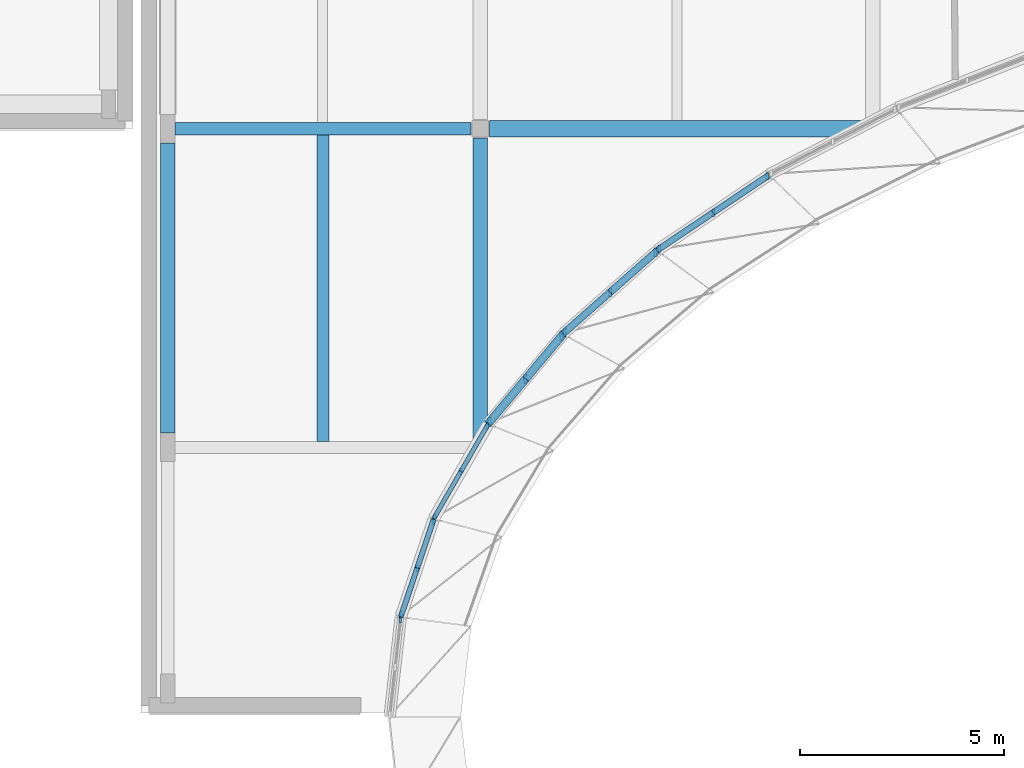
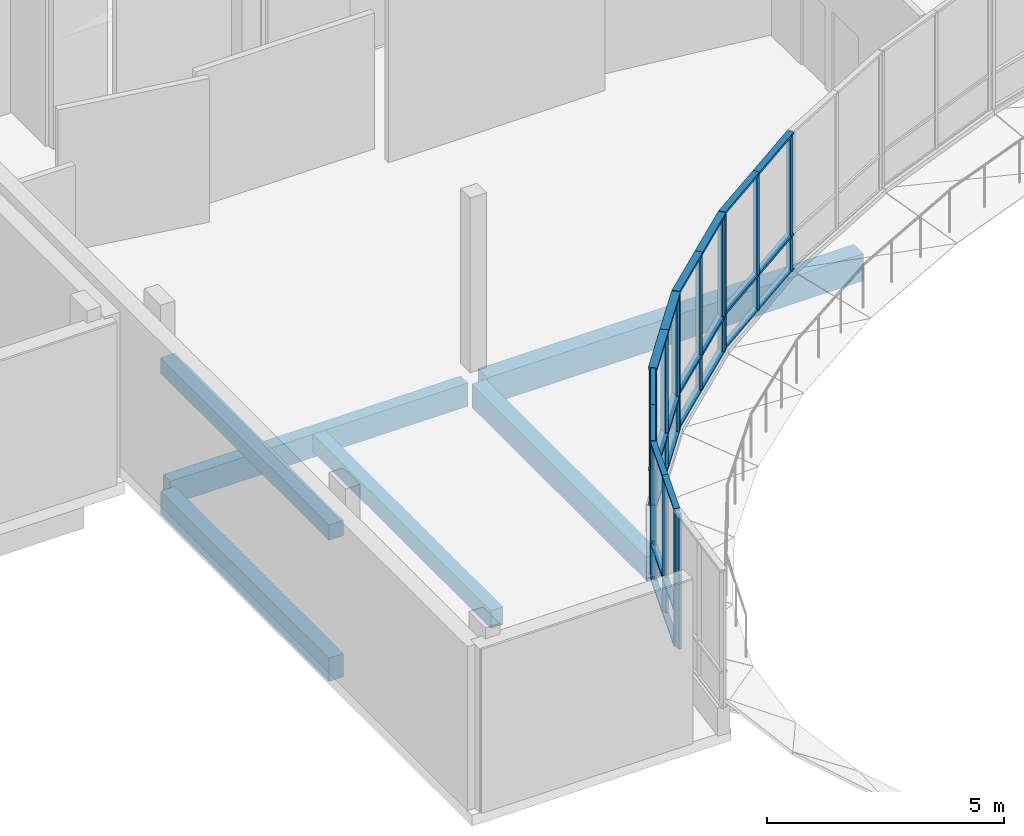
# One storey, part 9 of 41: 46 members, 6 beams, 6 elements without a shape of their own.
"""IFC4 building model written with IfcOpenShell, lengths in metres."""

from ifc_helpers import new_model, si_unit, direction, frame, origin, origin_2d, place, context, subcontext, project, spatial, rectangle, extrude, material, material_profile, profile_set, type_object, element, aggregate, save


model = new_model("IFC4")

# Units and contexts
model_context = context("Model", 3, precision=1e-05, world=origin(), true_north=direction((0.0, 1.0)))
body_context = subcontext(model_context, "Body", "Model", "MODEL_VIEW")
ifc_project = project(units=[si_unit("LENGTHUNIT", "METRE"), si_unit("AREAUNIT", "SQUARE_METRE"), si_unit("VOLUMEUNIT", "CUBIC_METRE"), si_unit("PLANEANGLEUNIT", "RADIAN"), si_unit("MASSUNIT", "GRAM", prefix="KILO")], contexts=[model_context])

# Site, building, storey
site_placement = place(None, origin())
site = spatial("IfcSite", under=ifc_project, at=site_placement, CompositionType="ELEMENT")
building_placement = place(site_placement, origin())
building = spatial("IfcBuilding", under=site, at=building_placement, Name="Mzevani Central Library", CompositionType="ELEMENT")
storey_placement = place(building_placement, frame((0.0, 0.0, 13.800048828125)))
storey = spatial("IfcBuildingStorey", under=building, at=storey_placement, Name="L03", CompositionType="ELEMENT", Elevation=13.800048828125)

# Beams
ifc_material_1 = material(Name="Concrete C35/45", Category="concrete")
ifc_material_profile_1 = material_profile(ifc_material_1, rectangle(XDim=0.300048828125, YDim=0.60009765625, at=origin_2d()), Name="RC B300x600")
ifc_profile_set_1 = profile_set([ifc_material_profile_1], Name="Concrete C35/45")
beam_type_1 = type_object("IfcBeamType", Name="Beam RC 300x600", PredefinedType="BEAM", material=ifc_profile_set_1)
beam_1_placement = place(storey_placement, frame((46.925048828125, 90.39990234375, -0.580078125), z_axis=(1.0, 0.0, 0.0), x_axis=(0.0, 1.0, 0.0)))
element("IfcBeam", 1, at=beam_1_placement, inside=storey, type_object=beam_type_1, Name="L03 V3 Girder B-03 (634)", PredefinedType="BEAM", context=body_context, shape_type="SweptSolid", body=[
    extrude(rectangle(XDim=0.300048828125, YDim=0.60009765625, at=origin_2d()), origin(), (0.0, 0.0, 1.0), 7.25),
])
ifc_material_profile_2 = material_profile(ifc_material_1, rectangle(XDim=0.35009765625, YDim=0.60009765625, at=origin_2d()), Name="RC B350x600")
ifc_profile_set_2 = profile_set([ifc_material_profile_2], Name="Concrete C35/45")
beam_type_2 = type_object("IfcBeamType", Name="Beam RC 350x600", PredefinedType="BEAM", material=ifc_profile_set_2)
beam_2_placement = place(storey_placement, frame((46.75, 82.949951171875, -0.580078125), z_axis=(0.0, 1.0, 0.0), x_axis=(-1.0, 0.0, 0.0)))
element("IfcBeam", 2, at=beam_2_placement, inside=storey, type_object=beam_type_2, Name="L03 V3 Frame Beam B-04 (663)", PredefinedType="BEAM", context=body_context, shape_type="SweptSolid", body=[
    extrude(rectangle(XDim=0.35009765625, YDim=0.60009765625, at=origin_2d()), origin(), (0.0, 0.0, 1.0), 7.10009765625),
])
beam_3_placement = place(storey_placement, frame((54.39990234375, 82.824951171875, -0.580078125), z_axis=(0.0, 1.0, 0.0), x_axis=(-1.0, 0.0, 0.0)))
element("IfcBeam", 3, at=beam_3_placement, inside=storey, type_object=beam_type_2, Name="L03 V3 Frame Beam B-04 (667)", PredefinedType="BEAM", context=body_context, shape_type="SweptSolid", body=[
    extrude(rectangle(XDim=0.35009765625, YDim=0.60009765625, at=origin_2d()), origin(), (0.0, 0.0, 1.0), 7.35009765625),
])
ifc_material_profile_3 = material_profile(ifc_material_1, rectangle(XDim=0.39990234375, YDim=0.699951171875, at=origin_2d()), Name="RC B400x700")
ifc_profile_set_3 = profile_set([ifc_material_profile_3], Name="Concrete C35/45")
beam_type_3 = type_object("IfcBeamType", Name="Beam RC 400x700", PredefinedType="BEAM", material=ifc_profile_set_3)
beam_4_placement = place(storey_placement, frame((54.625, 90.39990234375, -0.630126953125), z_axis=(1.0, 0.0, 0.0), x_axis=(0.0, 1.0, 0.0)))
element("IfcBeam", 4, at=beam_4_placement, inside=storey, type_object=beam_type_3, Name="L03 V3 Girder B-08 (635)", PredefinedType="BEAM", context=body_context, shape_type="SweptSolid", body=[
    extrude(rectangle(XDim=0.39990234375, YDim=0.699951171875, at=origin_2d()), origin(), (0.0, 0.0, 1.0), 9.14990234375),
])

# Curtain wall, members
ifc_material_2 = material(Name="Thermally broken aluminium and Low-E triple glazing", Category="aluminium")
curtain_wall_type_1 = type_object("IfcCurtainWallType", Name="Reading Hall Northlight Curtain Wall", PredefinedType="NOTDEFINED", material=ifc_material_2)
curtain_wall_1_placement = place(storey_placement, origin())
curtain_wall_1 = element("IfcCurtainWall", 5, at=curtain_wall_1_placement, inside=storey, type_object=curtain_wall_type_1, Name="L03 Elliptical Court Curtain Wall 22", PredefinedType="NOTDEFINED")
ifc_material_3 = material(Name="Thermally broken aluminium AW-6060", Category="aluminium")
ifc_material_profile_4 = material_profile(ifc_material_3, rectangle(XDim=0.06005859375, YDim=0.139892578125, at=origin_2d()), Name="ALU M60x140")
ifc_profile_set_4 = profile_set([ifc_material_profile_4], Name="Thermally broken aluminium AW-6060")
member_type_1 = type_object("IfcMemberType", Name="CW Mullion 60x140", PredefinedType="MULLION", material=ifc_profile_set_4)
member_1_placement = place(storey_placement, frame((54.564697265625, 83.12255859375, 0.719970703125), z_axis=(0.0, 0.0, 1.0), x_axis=(1.0, 0.0, 0.0)))
member_1 = element("IfcMember", 6, at=member_1_placement, type_object=member_type_1, Name="L03 Elliptical Court Curtain Wall 22 Mullion 1", PredefinedType="MULLION", context=body_context, shape_type="SweptSolid", body=[
    extrude(rectangle(XDim=0.06005859375, YDim=0.139892578125, at=origin_2d()), origin(), (0.0, 0.0, 1.0), 3.5),
])
member_2_placement = place(storey_placement, frame((53.92529296875, 82.01318359375, 0.719970703125), z_axis=(0.0, 0.0, 1.0), x_axis=(1.0, 0.0, 0.0)))
member_2 = element("IfcMember", 7, at=member_2_placement, type_object=member_type_1, Name="L03 Elliptical Court Curtain Wall 22 Mullion 2", PredefinedType="MULLION", context=body_context, shape_type="SweptSolid", body=[
    extrude(rectangle(XDim=0.06005859375, YDim=0.139892578125, at=origin_2d()), origin(), (0.0, 0.0, 1.0), 3.5),
])
member_3_placement = place(storey_placement, frame((53.285888671875, 80.90380859375, 0.719970703125), z_axis=(0.0, 0.0, 1.0), x_axis=(1.0, 0.0, 0.0)))
member_3 = element("IfcMember", 8, at=member_3_placement, type_object=member_type_1, Name="L03 Elliptical Court Curtain Wall 22 Mullion 3", PredefinedType="MULLION", context=body_context, shape_type="SweptSolid", body=[
    extrude(rectangle(XDim=0.06005859375, YDim=0.139892578125, at=origin_2d()), origin(), (0.0, 0.0, 1.0), 3.5),
])

curtain_wall_type_2 = type_object("IfcCurtainWallType", Name="Elliptical Court Unitised Curtain Wall", PredefinedType="NOTDEFINED", material=ifc_material_2)
curtain_wall_2_placement = place(storey_placement, origin())
curtain_wall_2 = element("IfcCurtainWall", 9, at=curtain_wall_2_placement, inside=storey, type_object=curtain_wall_type_2, Name="L03 Elliptical Court Curtain Wall 23", PredefinedType="NOTDEFINED")
ifc_material_profile_5 = material_profile(ifc_material_3, rectangle(XDim=0.06005859375, YDim=0.159912109375, at=origin_2d()), Name="ALU M60x160")
ifc_profile_set_5 = profile_set([ifc_material_profile_5], Name="Thermally broken aluminium AW-6060")
member_type_2 = type_object("IfcMemberType", Name="CW Mullion 60x160", PredefinedType="MULLION", material=ifc_profile_set_5)
member_4_placement = place(storey_placement, frame((53.2421875, 80.79541015625, 0.719970703125), z_axis=(0.0, 0.0, 1.0), x_axis=(1.0, 0.0, 0.0)))
member_4 = element("IfcMember", 10, at=member_4_placement, type_object=member_type_2, Name="L03 Elliptical Court Curtain Wall 23 Mullion 1", PredefinedType="MULLION", context=body_context, shape_type="SweptSolid", body=[
    extrude(rectangle(XDim=0.06005859375, YDim=0.159912109375, at=origin_2d()), origin(), (0.0, 0.0, 1.0), 3.5),
])
member_5_placement = place(storey_placement, frame((52.85498046875, 79.64892578125, 0.719970703125), z_axis=(0.0, 0.0, 1.0), x_axis=(1.0, 0.0, 0.0)))
member_5 = element("IfcMember", 11, at=member_5_placement, type_object=member_type_2, Name="L03 Elliptical Court Curtain Wall 23 Mullion 2", PredefinedType="MULLION", context=body_context, shape_type="SweptSolid", body=[
    extrude(rectangle(XDim=0.06005859375, YDim=0.159912109375, at=origin_2d()), origin(), (0.0, 0.0, 1.0), 3.5),
])
member_6_placement = place(storey_placement, frame((52.4677734375, 78.50244140625, 0.719970703125), z_axis=(0.0, 0.0, 1.0), x_axis=(1.0, 0.0, 0.0)))
member_6 = element("IfcMember", 12, at=member_6_placement, type_object=member_type_2, Name="L03 Elliptical Court Curtain Wall 23 Mullion 3", PredefinedType="MULLION", context=body_context, shape_type="SweptSolid", body=[
    extrude(rectangle(XDim=0.06005859375, YDim=0.159912109375, at=origin_2d()), origin(), (0.0, 0.0, 1.0), 3.5),
])

curtain_wall_3_placement = place(storey_placement, origin())
curtain_wall_3 = element("IfcCurtainWall", 13, at=curtain_wall_3_placement, inside=storey, type_object=curtain_wall_type_1, Name="L03 Elliptical Court Curtain Wall 19", PredefinedType="NOTDEFINED")
ifc_material_profile_6 = material_profile(ifc_material_3, rectangle(XDim=0.06005859375, YDim=0.179931640625, at=origin_2d()), Name="ALU M60x180")
ifc_profile_set_6 = profile_set([ifc_material_profile_6], Name="Thermally broken aluminium AW-6060")
member_type_3 = type_object("IfcMemberType", Name="CW Mullion 60x180", PredefinedType="MULLION", material=ifc_profile_set_6)
member_7_placement = place(storey_placement, frame((61.41845703125, 89.234130859375, 0.719970703125), z_axis=(0.0, 0.0, 1.0), x_axis=(1.0, 0.0, 0.0)))
member_7 = element("IfcMember", 14, at=member_7_placement, type_object=member_type_3, Name="L03 Elliptical Court Curtain Wall 19 Mullion 1", PredefinedType="MULLION", context=body_context, shape_type="SweptSolid", body=[
    extrude(rectangle(XDim=0.06005859375, YDim=0.179931640625, at=origin_2d()), origin(), (0.0, 0.0, 1.0), 3.5),
])
member_8_placement = place(storey_placement, frame((60.097412109375, 88.3466796875, 0.719970703125), z_axis=(0.0, 0.0, 1.0), x_axis=(1.0, 0.0, 0.0)))
member_8 = element("IfcMember", 15, at=member_8_placement, type_object=member_type_3, Name="L03 Elliptical Court Curtain Wall 19 Mullion 2", PredefinedType="MULLION", context=body_context, shape_type="SweptSolid", body=[
    extrude(rectangle(XDim=0.06005859375, YDim=0.179931640625, at=origin_2d()), origin(), (0.0, 0.0, 1.0), 3.5),
])
member_9_placement = place(storey_placement, frame((58.776123046875, 87.459228515625, 0.719970703125), z_axis=(0.0, 0.0, 1.0), x_axis=(1.0, 0.0, 0.0)))
member_9 = element("IfcMember", 16, at=member_9_placement, type_object=member_type_3, Name="L03 Elliptical Court Curtain Wall 19 Mullion 3", PredefinedType="MULLION", context=body_context, shape_type="SweptSolid", body=[
    extrude(rectangle(XDim=0.06005859375, YDim=0.179931640625, at=origin_2d()), origin(), (0.0, 0.0, 1.0), 3.5),
])

# Curtain wall, member
curtain_wall_4_placement = place(storey_placement, origin())
curtain_wall_4 = element("IfcCurtainWall", 17, at=curtain_wall_4_placement, inside=storey, type_object=curtain_wall_type_2, Name="L03 Elliptical Court Curtain Wall 24", PredefinedType="NOTDEFINED")
member_10_placement = place(storey_placement, frame((52.445068359375, 78.38818359375, 0.719970703125), z_axis=(0.0, 0.0, 1.0), x_axis=(1.0, 0.0, 0.0)))
member_10 = element("IfcMember", 18, at=member_10_placement, type_object=member_type_3, Name="L03 Elliptical Court Curtain Wall 24 Mullion 1", PredefinedType="MULLION", context=body_context, shape_type="SweptSolid", body=[
    extrude(rectangle(XDim=0.06005859375, YDim=0.179931640625, at=origin_2d()), origin(), (0.0, 0.0, 1.0), 3.5),
])
aggregate(curtain_wall_4, [member_10])

# Curtain wall, members
curtain_wall_5_placement = place(storey_placement, origin())
curtain_wall_5 = element("IfcCurtainWall", 19, at=curtain_wall_5_placement, inside=storey, type_object=curtain_wall_type_2, Name="L03 Elliptical Court Curtain Wall 20", PredefinedType="NOTDEFINED")
ifc_material_profile_7 = material_profile(ifc_material_3, rectangle(XDim=0.06494140625, YDim=0.199951171875, at=origin_2d()), Name="ALU M65x200")
ifc_profile_set_7 = profile_set([ifc_material_profile_7], Name="Thermally broken aluminium AW-6060")
member_type_4 = type_object("IfcMemberType", Name="CW Mullion 65x200", PredefinedType="MULLION", material=ifc_profile_set_7)
member_11_placement = place(storey_placement, frame((58.687744140625, 87.3779296875, 0.719970703125), z_axis=(0.0, 0.0, 1.0), x_axis=(1.0, 0.0, 0.0)))
member_11 = element("IfcMember", 20, at=member_11_placement, type_object=member_type_4, Name="L03 Elliptical Court Curtain Wall 20 Mullion 1", PredefinedType="MULLION", context=body_context, shape_type="SweptSolid", body=[
    extrude(rectangle(XDim=0.06494140625, YDim=0.199951171875, at=origin_2d()), origin(), (0.0, 0.0, 1.0), 3.5),
])
member_12_placement = place(storey_placement, frame((57.5771484375, 86.39892578125, 0.719970703125), z_axis=(0.0, 0.0, 1.0), x_axis=(1.0, 0.0, 0.0)))
member_12 = element("IfcMember", 21, at=member_12_placement, type_object=member_type_4, Name="L03 Elliptical Court Curtain Wall 20 Mullion 2", PredefinedType="MULLION", context=body_context, shape_type="SweptSolid", body=[
    extrude(rectangle(XDim=0.06494140625, YDim=0.199951171875, at=origin_2d()), origin(), (0.0, 0.0, 1.0), 3.5),
])
member_13_placement = place(storey_placement, frame((56.46630859375, 85.419677734375, 0.719970703125), z_axis=(0.0, 0.0, 1.0), x_axis=(1.0, 0.0, 0.0)))
member_13 = element("IfcMember", 22, at=member_13_placement, type_object=member_type_4, Name="L03 Elliptical Court Curtain Wall 20 Mullion 3", PredefinedType="MULLION", context=body_context, shape_type="SweptSolid", body=[
    extrude(rectangle(XDim=0.06494140625, YDim=0.199951171875, at=origin_2d()), origin(), (0.0, 0.0, 1.0), 3.5),
])

curtain_wall_6_placement = place(storey_placement, origin())
curtain_wall_6 = element("IfcCurtainWall", 23, at=curtain_wall_6_placement, inside=storey, type_object=curtain_wall_type_2, Name="L03 Elliptical Court Curtain Wall 21", PredefinedType="NOTDEFINED")
ifc_material_profile_8 = material_profile(ifc_material_3, rectangle(XDim=0.070068359375, YDim=0.219970703125, at=origin_2d()), Name="ALU M70x220")
ifc_profile_set_8 = profile_set([ifc_material_profile_8], Name="Thermally broken aluminium AW-6060")
member_type_5 = type_object("IfcMemberType", Name="CW Mullion 70x220", PredefinedType="MULLION", material=ifc_profile_set_8)
member_14_placement = place(storey_placement, frame((56.39013671875, 85.3291015625, 0.719970703125), z_axis=(0.0, 0.0, 1.0), x_axis=(1.0, 0.0, 0.0)))
member_14 = element("IfcMember", 24, at=member_14_placement, type_object=member_type_5, Name="L03 Elliptical Court Curtain Wall 21 Mullion 1", PredefinedType="MULLION", context=body_context, shape_type="SweptSolid", body=[
    extrude(rectangle(XDim=0.070068359375, YDim=0.219970703125, at=origin_2d()), origin(), (0.0, 0.0, 1.0), 3.5),
])
member_15_placement = place(storey_placement, frame((55.50830078125, 84.275634765625, 0.719970703125), z_axis=(0.0, 0.0, 1.0), x_axis=(1.0, 0.0, 0.0)))
member_15 = element("IfcMember", 25, at=member_15_placement, type_object=member_type_5, Name="L03 Elliptical Court Curtain Wall 21 Mullion 2", PredefinedType="MULLION", context=body_context, shape_type="SweptSolid", body=[
    extrude(rectangle(XDim=0.070068359375, YDim=0.219970703125, at=origin_2d()), origin(), (0.0, 0.0, 1.0), 3.5),
])
member_16_placement = place(storey_placement, frame((54.626220703125, 83.222412109375, 0.719970703125), z_axis=(0.0, 0.0, 1.0), x_axis=(1.0, 0.0, 0.0)))
member_16 = element("IfcMember", 26, at=member_16_placement, type_object=member_type_5, Name="L03 Elliptical Court Curtain Wall 21 Mullion 3", PredefinedType="MULLION", context=body_context, shape_type="SweptSolid", body=[
    extrude(rectangle(XDim=0.070068359375, YDim=0.219970703125, at=origin_2d()), origin(), (0.0, 0.0, 1.0), 3.5),
])

# Member
ifc_material_profile_9 = material_profile(ifc_material_3, rectangle(XDim=0.110107421875, YDim=0.06005859375, at=origin_2d()), Name="ALU T60x110")
ifc_profile_set_9 = profile_set([ifc_material_profile_9], Name="Thermally broken aluminium AW-6060")
member_type_6 = type_object("IfcMemberType", Name="CW Transom 60x110", PredefinedType="USERDEFINED", material=ifc_profile_set_9)
member_17_placement = place(storey_placement, frame((54.589599609375, 83.165771484375, 0.719970703125), z_axis=(-0.499356999175, -0.866396322346, 0.0), x_axis=(0.866396322346, -0.499356999175, 0.0)))
member_17 = element("IfcMember", 27, at=member_17_placement, type_object=member_type_6, Name="L03 Elliptical Court Curtain Wall 22 Transom 1", ObjectType="TRANSOM", PredefinedType="USERDEFINED", context=body_context, shape_type="SweptSolid", body=[
    extrude(rectangle(XDim=0.110107421875, YDim=0.06005859375, at=origin_2d()), origin(), (0.0, 0.0, 1.0), 1.330322265625),
])

member_18_placement = place(storey_placement, frame((54.589599609375, 83.165771484375, 1.619873046875), z_axis=(-0.499356999175, -0.866396322346, 0.0), x_axis=(0.866396322346, -0.499356999175, 0.0)))
member_18 = element("IfcMember", 28, at=member_18_placement, type_object=member_type_6, Name="L03 Elliptical Court Curtain Wall 22 Transom 2", ObjectType="TRANSOM", PredefinedType="USERDEFINED", context=body_context, shape_type="SweptSolid", body=[
    extrude(rectangle(XDim=0.110107421875, YDim=0.06005859375, at=origin_2d()), origin(), (0.0, 0.0, 1.0), 1.330322265625),
])

member_19_placement = place(storey_placement, frame((54.589599609375, 83.165771484375, 4.219970703125), z_axis=(-0.499356999175, -0.866396322346, 0.0), x_axis=(0.866396322346, -0.499356999175, 0.0)))
member_19 = element("IfcMember", 29, at=member_19_placement, type_object=member_type_6, Name="L03 Elliptical Court Curtain Wall 22 Transom 3", ObjectType="TRANSOM", PredefinedType="USERDEFINED", context=body_context, shape_type="SweptSolid", body=[
    extrude(rectangle(XDim=0.110107421875, YDim=0.06005859375, at=origin_2d()), origin(), (0.0, 0.0, 1.0), 1.330322265625),
])

member_20_placement = place(storey_placement, frame((53.92529296875, 82.01318359375, 0.719970703125), z_axis=(-0.499277611559, -0.866442073422, 0.0), x_axis=(0.866442073422, -0.499277611559, 0.0)))
member_20 = element("IfcMember", 30, at=member_20_placement, type_object=member_type_6, Name="L03 Elliptical Court Curtain Wall 22 Transom 4", ObjectType="TRANSOM", PredefinedType="USERDEFINED", context=body_context, shape_type="SweptSolid", body=[
    extrude(rectangle(XDim=0.110107421875, YDim=0.06005859375, at=origin_2d()), origin(), (0.0, 0.0, 1.0), 1.33056640625),
])

member_21_placement = place(storey_placement, frame((53.92529296875, 82.01318359375, 1.619873046875), z_axis=(-0.499277611559, -0.866442073422, 0.0), x_axis=(0.866442073422, -0.499277611559, 0.0)))
member_21 = element("IfcMember", 31, at=member_21_placement, type_object=member_type_6, Name="L03 Elliptical Court Curtain Wall 22 Transom 5", ObjectType="TRANSOM", PredefinedType="USERDEFINED", context=body_context, shape_type="SweptSolid", body=[
    extrude(rectangle(XDim=0.110107421875, YDim=0.06005859375, at=origin_2d()), origin(), (0.0, 0.0, 1.0), 1.33056640625),
])

member_22_placement = place(storey_placement, frame((53.92529296875, 82.01318359375, 4.219970703125), z_axis=(-0.499277611559, -0.866442073422, 0.0), x_axis=(0.866442073422, -0.499277611559, 0.0)))
member_22 = element("IfcMember", 32, at=member_22_placement, type_object=member_type_6, Name="L03 Elliptical Court Curtain Wall 22 Transom 6", ObjectType="TRANSOM", PredefinedType="USERDEFINED", context=body_context, shape_type="SweptSolid", body=[
    extrude(rectangle(XDim=0.110107421875, YDim=0.06005859375, at=origin_2d()), origin(), (0.0, 0.0, 1.0), 1.33056640625),
])

aggregate(curtain_wall_1, [member_1, member_2, member_3, member_17, member_18, member_19, member_20, member_21, member_22])

ifc_material_profile_10 = material_profile(ifc_material_3, rectangle(XDim=0.1298828125, YDim=0.06005859375, at=origin_2d()), Name="ALU T60x130")
ifc_profile_set_10 = profile_set([ifc_material_profile_10], Name="Thermally broken aluminium AW-6060")
member_type_7 = type_object("IfcMemberType", Name="CW Transom 60x130", PredefinedType="USERDEFINED", material=ifc_profile_set_10)
member_23_placement = place(storey_placement, frame((53.25830078125, 80.8427734375, 0.719970703125), z_axis=(-0.320061266141, -0.947396847111, 0.0), x_axis=(0.947396847111, -0.320061266141, 0.0)))
member_23 = element("IfcMember", 33, at=member_23_placement, type_object=member_type_7, Name="L03 Elliptical Court Curtain Wall 23 Transom 1", ObjectType="TRANSOM", PredefinedType="USERDEFINED", context=body_context, shape_type="SweptSolid", body=[
    extrude(rectangle(XDim=0.1298828125, YDim=0.06005859375, at=origin_2d()), origin(), (0.0, 0.0, 1.0), 1.26025390625),
])

member_24_placement = place(storey_placement, frame((53.25830078125, 80.8427734375, 1.619873046875), z_axis=(-0.320061266141, -0.947396847111, 0.0), x_axis=(0.947396847111, -0.320061266141, 0.0)))
member_24 = element("IfcMember", 34, at=member_24_placement, type_object=member_type_7, Name="L03 Elliptical Court Curtain Wall 23 Transom 2", ObjectType="TRANSOM", PredefinedType="USERDEFINED", context=body_context, shape_type="SweptSolid", body=[
    extrude(rectangle(XDim=0.1298828125, YDim=0.06005859375, at=origin_2d()), origin(), (0.0, 0.0, 1.0), 1.26025390625),
])

member_25_placement = place(storey_placement, frame((53.25830078125, 80.8427734375, 4.219970703125), z_axis=(-0.320061266141, -0.947396847111, 0.0), x_axis=(0.947396847111, -0.320061266141, 0.0)))
member_25 = element("IfcMember", 35, at=member_25_placement, type_object=member_type_7, Name="L03 Elliptical Court Curtain Wall 23 Transom 3", ObjectType="TRANSOM", PredefinedType="USERDEFINED", context=body_context, shape_type="SweptSolid", body=[
    extrude(rectangle(XDim=0.1298828125, YDim=0.06005859375, at=origin_2d()), origin(), (0.0, 0.0, 1.0), 1.26025390625),
])

member_26_placement = place(storey_placement, frame((52.85498046875, 79.64892578125, 0.719970703125), z_axis=(-0.319887355027, -0.947455582122, 0.0), x_axis=(0.947455582122, -0.319887355027, 0.0)))
member_26 = element("IfcMember", 36, at=member_26_placement, type_object=member_type_7, Name="L03 Elliptical Court Curtain Wall 23 Transom 4", ObjectType="TRANSOM", PredefinedType="USERDEFINED", context=body_context, shape_type="SweptSolid", body=[
    extrude(rectangle(XDim=0.1298828125, YDim=0.06005859375, at=origin_2d()), origin(), (0.0, 0.0, 1.0), 1.260009765625),
])

member_27_placement = place(storey_placement, frame((52.85498046875, 79.64892578125, 1.619873046875), z_axis=(-0.319887355027, -0.947455582122, 0.0), x_axis=(0.947455582122, -0.319887355027, 0.0)))
member_27 = element("IfcMember", 37, at=member_27_placement, type_object=member_type_7, Name="L03 Elliptical Court Curtain Wall 23 Transom 5", ObjectType="TRANSOM", PredefinedType="USERDEFINED", context=body_context, shape_type="SweptSolid", body=[
    extrude(rectangle(XDim=0.1298828125, YDim=0.06005859375, at=origin_2d()), origin(), (0.0, 0.0, 1.0), 1.260009765625),
])

member_28_placement = place(storey_placement, frame((52.85498046875, 79.64892578125, 4.219970703125), z_axis=(-0.319887355027, -0.947455582122, 0.0), x_axis=(0.947455582122, -0.319887355027, 0.0)))
member_28 = element("IfcMember", 38, at=member_28_placement, type_object=member_type_7, Name="L03 Elliptical Court Curtain Wall 23 Transom 6", ObjectType="TRANSOM", PredefinedType="USERDEFINED", context=body_context, shape_type="SweptSolid", body=[
    extrude(rectangle(XDim=0.1298828125, YDim=0.06005859375, at=origin_2d()), origin(), (0.0, 0.0, 1.0), 1.260009765625),
])

aggregate(curtain_wall_2, [member_4, member_5, member_6, member_23, member_24, member_25, member_26, member_27, member_28])

ifc_material_profile_11 = material_profile(ifc_material_3, rectangle(XDim=0.14990234375, YDim=0.06005859375, at=origin_2d()), Name="ALU T60x150")
ifc_profile_set_11 = profile_set([ifc_material_profile_11], Name="Thermally broken aluminium AW-6060")
member_type_8 = type_object("IfcMemberType", Name="CW Transom 60x150", PredefinedType="USERDEFINED", material=ifc_profile_set_11)
member_29_placement = place(storey_placement, frame((61.4599609375, 89.261962890625, 0.719970703125), z_axis=(-0.830100159382, -0.557614315987, 0.0), x_axis=(0.557614315987, -0.830100159382, 0.0)))
member_29 = element("IfcMember", 39, at=member_29_placement, type_object=member_type_8, Name="L03 Elliptical Court Curtain Wall 19 Transom 1", ObjectType="TRANSOM", PredefinedType="USERDEFINED", context=body_context, shape_type="SweptSolid", body=[
    extrude(rectangle(XDim=0.14990234375, YDim=0.06005859375, at=origin_2d()), origin(), (0.0, 0.0, 1.0), 1.641357421875),
])

member_30_placement = place(storey_placement, frame((61.4599609375, 89.261962890625, 1.619873046875), z_axis=(-0.830100159382, -0.557614315987, 0.0), x_axis=(0.557614315987, -0.830100159382, 0.0)))
member_30 = element("IfcMember", 40, at=member_30_placement, type_object=member_type_8, Name="L03 Elliptical Court Curtain Wall 19 Transom 2", ObjectType="TRANSOM", PredefinedType="USERDEFINED", context=body_context, shape_type="SweptSolid", body=[
    extrude(rectangle(XDim=0.14990234375, YDim=0.06005859375, at=origin_2d()), origin(), (0.0, 0.0, 1.0), 1.641357421875),
])

member_31_placement = place(storey_placement, frame((61.4599609375, 89.261962890625, 4.219970703125), z_axis=(-0.830100159382, -0.557614315987, 0.0), x_axis=(0.557614315987, -0.830100159382, 0.0)))
member_31 = element("IfcMember", 41, at=member_31_placement, type_object=member_type_8, Name="L03 Elliptical Court Curtain Wall 19 Transom 3", ObjectType="TRANSOM", PredefinedType="USERDEFINED", context=body_context, shape_type="SweptSolid", body=[
    extrude(rectangle(XDim=0.14990234375, YDim=0.06005859375, at=origin_2d()), origin(), (0.0, 0.0, 1.0), 1.641357421875),
])

member_32_placement = place(storey_placement, frame((60.097412109375, 88.3466796875, 0.719970703125), z_axis=(-0.83014639811, -0.557545475907, 0.0), x_axis=(0.557545475907, -0.83014639811, 0.0)))
member_32 = element("IfcMember", 42, at=member_32_placement, type_object=member_type_8, Name="L03 Elliptical Court Curtain Wall 19 Transom 4", ObjectType="TRANSOM", PredefinedType="USERDEFINED", context=body_context, shape_type="SweptSolid", body=[
    extrude(rectangle(XDim=0.14990234375, YDim=0.06005859375, at=origin_2d()), origin(), (0.0, 0.0, 1.0), 1.6416015625),
])

member_33_placement = place(storey_placement, frame((60.097412109375, 88.3466796875, 1.619873046875), z_axis=(-0.83014639811, -0.557545475907, 0.0), x_axis=(0.557545475907, -0.83014639811, 0.0)))
member_33 = element("IfcMember", 43, at=member_33_placement, type_object=member_type_8, Name="L03 Elliptical Court Curtain Wall 19 Transom 5", ObjectType="TRANSOM", PredefinedType="USERDEFINED", context=body_context, shape_type="SweptSolid", body=[
    extrude(rectangle(XDim=0.14990234375, YDim=0.06005859375, at=origin_2d()), origin(), (0.0, 0.0, 1.0), 1.6416015625),
])

member_34_placement = place(storey_placement, frame((60.097412109375, 88.3466796875, 4.219970703125), z_axis=(-0.83014639811, -0.557545475907, 0.0), x_axis=(0.557545475907, -0.83014639811, 0.0)))
member_34 = element("IfcMember", 44, at=member_34_placement, type_object=member_type_8, Name="L03 Elliptical Court Curtain Wall 19 Transom 6", ObjectType="TRANSOM", PredefinedType="USERDEFINED", context=body_context, shape_type="SweptSolid", body=[
    extrude(rectangle(XDim=0.14990234375, YDim=0.06005859375, at=origin_2d()), origin(), (0.0, 0.0, 1.0), 1.6416015625),
])

aggregate(curtain_wall_3, [member_7, member_8, member_9, member_29, member_30, member_31, member_32, member_33, member_34])

ifc_material_profile_12 = material_profile(ifc_material_3, rectangle(XDim=0.169921875, YDim=0.06494140625, at=origin_2d()), Name="ALU T65x170")
ifc_profile_set_12 = profile_set([ifc_material_profile_12], Name="Thermally broken aluminium AW-6060")
member_type_9 = type_object("IfcMemberType", Name="CW Transom 65x170", PredefinedType="USERDEFINED", material=ifc_profile_set_12)
member_35_placement = place(storey_placement, frame((58.725341796875, 87.410888671875, 0.719970703125), z_axis=(-0.750210150651, -0.661199462991, 0.0), x_axis=(0.661199462991, -0.750210150651, 0.0)))
member_35 = element("IfcMember", 45, at=member_35_placement, type_object=member_type_9, Name="L03 Elliptical Court Curtain Wall 20 Transom 1", ObjectType="TRANSOM", PredefinedType="USERDEFINED", context=body_context, shape_type="SweptSolid", body=[
    extrude(rectangle(XDim=0.169921875, YDim=0.06494140625, at=origin_2d()), origin(), (0.0, 0.0, 1.0), 1.530517578125),
])

member_36_placement = place(storey_placement, frame((58.725341796875, 87.410888671875, 1.619873046875), z_axis=(-0.750210150651, -0.661199462991, 0.0), x_axis=(0.661199462991, -0.750210150651, 0.0)))
member_36 = element("IfcMember", 46, at=member_36_placement, type_object=member_type_9, Name="L03 Elliptical Court Curtain Wall 20 Transom 2", ObjectType="TRANSOM", PredefinedType="USERDEFINED", context=body_context, shape_type="SweptSolid", body=[
    extrude(rectangle(XDim=0.169921875, YDim=0.06494140625, at=origin_2d()), origin(), (0.0, 0.0, 1.0), 1.530517578125),
])

member_37_placement = place(storey_placement, frame((58.725341796875, 87.410888671875, 4.219970703125), z_axis=(-0.750210150651, -0.661199462991, 0.0), x_axis=(0.661199462991, -0.750210150651, 0.0)))
member_37 = element("IfcMember", 47, at=member_37_placement, type_object=member_type_9, Name="L03 Elliptical Court Curtain Wall 20 Transom 3", ObjectType="TRANSOM", PredefinedType="USERDEFINED", context=body_context, shape_type="SweptSolid", body=[
    extrude(rectangle(XDim=0.169921875, YDim=0.06494140625, at=origin_2d()), origin(), (0.0, 0.0, 1.0), 1.530517578125),
])

member_38_placement = place(storey_placement, frame((57.5771484375, 86.39892578125, 0.719970703125), z_axis=(-0.750131026865, -0.661289227596, 0.0), x_axis=(0.661289227596, -0.750131026865, 0.0)))
member_38 = element("IfcMember", 48, at=member_38_placement, type_object=member_type_9, Name="L03 Elliptical Court Curtain Wall 20 Transom 4", ObjectType="TRANSOM", PredefinedType="USERDEFINED", context=body_context, shape_type="SweptSolid", body=[
    extrude(rectangle(XDim=0.169921875, YDim=0.06494140625, at=origin_2d()), origin(), (0.0, 0.0, 1.0), 1.53076171875),
])

member_39_placement = place(storey_placement, frame((57.5771484375, 86.39892578125, 1.619873046875), z_axis=(-0.750131026865, -0.661289227596, 0.0), x_axis=(0.661289227596, -0.750131026865, 0.0)))
member_39 = element("IfcMember", 49, at=member_39_placement, type_object=member_type_9, Name="L03 Elliptical Court Curtain Wall 20 Transom 5", ObjectType="TRANSOM", PredefinedType="USERDEFINED", context=body_context, shape_type="SweptSolid", body=[
    extrude(rectangle(XDim=0.169921875, YDim=0.06494140625, at=origin_2d()), origin(), (0.0, 0.0, 1.0), 1.53076171875),
])

member_40_placement = place(storey_placement, frame((57.5771484375, 86.39892578125, 4.219970703125), z_axis=(-0.750131026865, -0.661289227596, 0.0), x_axis=(0.661289227596, -0.750131026865, 0.0)))
member_40 = element("IfcMember", 50, at=member_40_placement, type_object=member_type_9, Name="L03 Elliptical Court Curtain Wall 20 Transom 6", ObjectType="TRANSOM", PredefinedType="USERDEFINED", context=body_context, shape_type="SweptSolid", body=[
    extrude(rectangle(XDim=0.169921875, YDim=0.06494140625, at=origin_2d()), origin(), (0.0, 0.0, 1.0), 1.53076171875),
])

aggregate(curtain_wall_5, [member_11, member_12, member_13, member_35, member_36, member_37, member_38, member_39, member_40])

ifc_material_profile_13 = material_profile(ifc_material_3, rectangle(XDim=0.18994140625, YDim=0.070068359375, at=origin_2d()), Name="ALU T70x190")
ifc_profile_set_13 = profile_set([ifc_material_profile_13], Name="Thermally broken aluminium AW-6060")
member_type_10 = type_object("IfcMemberType", Name="CW Transom 70x190", PredefinedType="USERDEFINED", material=ifc_profile_set_13)
member_41_placement = place(storey_placement, frame((56.42236328125, 85.367431640625, 0.719970703125), z_axis=(-0.641936656459, -0.766757672993, 0.0), x_axis=(0.766757672993, -0.641936656459, 0.0)))
member_41 = element("IfcMember", 51, at=member_41_placement, type_object=member_type_10, Name="L03 Elliptical Court Curtain Wall 21 Transom 1", ObjectType="TRANSOM", PredefinedType="USERDEFINED", context=body_context, shape_type="SweptSolid", body=[
    extrude(rectangle(XDim=0.18994140625, YDim=0.070068359375, at=origin_2d()), origin(), (0.0, 0.0, 1.0), 1.423828125),
])

member_42_placement = place(storey_placement, frame((56.42236328125, 85.367431640625, 1.619873046875), z_axis=(-0.641936656459, -0.766757672993, 0.0), x_axis=(0.766757672993, -0.641936656459, 0.0)))
member_42 = element("IfcMember", 52, at=member_42_placement, type_object=member_type_10, Name="L03 Elliptical Court Curtain Wall 21 Transom 2", ObjectType="TRANSOM", PredefinedType="USERDEFINED", context=body_context, shape_type="SweptSolid", body=[
    extrude(rectangle(XDim=0.18994140625, YDim=0.070068359375, at=origin_2d()), origin(), (0.0, 0.0, 1.0), 1.423828125),
])

member_43_placement = place(storey_placement, frame((56.42236328125, 85.367431640625, 4.219970703125), z_axis=(-0.641936656459, -0.766757672993, 0.0), x_axis=(0.766757672993, -0.641936656459, 0.0)))
member_43 = element("IfcMember", 53, at=member_43_placement, type_object=member_type_10, Name="L03 Elliptical Court Curtain Wall 21 Transom 3", ObjectType="TRANSOM", PredefinedType="USERDEFINED", context=body_context, shape_type="SweptSolid", body=[
    extrude(rectangle(XDim=0.18994140625, YDim=0.070068359375, at=origin_2d()), origin(), (0.0, 0.0, 1.0), 1.423828125),
])

member_44_placement = place(storey_placement, frame((55.50830078125, 84.275634765625, 0.719970703125), z_axis=(-0.642121837535, -0.766602599631, 0.0), x_axis=(0.766602599631, -0.642121837535, 0.0)))
member_44 = element("IfcMember", 54, at=member_44_placement, type_object=member_type_10, Name="L03 Elliptical Court Curtain Wall 21 Transom 4", ObjectType="TRANSOM", PredefinedType="USERDEFINED", context=body_context, shape_type="SweptSolid", body=[
    extrude(rectangle(XDim=0.18994140625, YDim=0.070068359375, at=origin_2d()), origin(), (0.0, 0.0, 1.0), 1.423828125),
])

member_45_placement = place(storey_placement, frame((55.50830078125, 84.275634765625, 1.619873046875), z_axis=(-0.642121837535, -0.766602599631, 0.0), x_axis=(0.766602599631, -0.642121837535, 0.0)))
member_45 = element("IfcMember", 55, at=member_45_placement, type_object=member_type_10, Name="L03 Elliptical Court Curtain Wall 21 Transom 5", ObjectType="TRANSOM", PredefinedType="USERDEFINED", context=body_context, shape_type="SweptSolid", body=[
    extrude(rectangle(XDim=0.18994140625, YDim=0.070068359375, at=origin_2d()), origin(), (0.0, 0.0, 1.0), 1.423828125),
])

member_46_placement = place(storey_placement, frame((55.50830078125, 84.275634765625, 4.219970703125), z_axis=(-0.642121837535, -0.766602599631, 0.0), x_axis=(0.766602599631, -0.642121837535, 0.0)))
member_46 = element("IfcMember", 56, at=member_46_placement, type_object=member_type_10, Name="L03 Elliptical Court Curtain Wall 21 Transom 6", ObjectType="TRANSOM", PredefinedType="USERDEFINED", context=body_context, shape_type="SweptSolid", body=[
    extrude(rectangle(XDim=0.18994140625, YDim=0.070068359375, at=origin_2d()), origin(), (0.0, 0.0, 1.0), 1.423828125),
])

aggregate(curtain_wall_6, [member_14, member_15, member_16, member_41, member_42, member_43, member_44, member_45, member_46])

# Beams
ifc_material_profile_14 = material_profile(ifc_material_1, rectangle(XDim=0.300048828125, YDim=0.449951171875, at=origin_2d()), Name="RC J300x450")
ifc_profile_set_14 = profile_set([ifc_material_profile_14], Name="Concrete C35/45")
beam_type_4 = type_object("IfcBeamType", Name="Floor Joist RC 300x450", PredefinedType="JOIST", material=ifc_profile_set_14)
beam_5_placement = place(storey_placement, frame((50.550048828125, 82.75, -0.505126953125), z_axis=(0.0, 1.0, 0.0), x_axis=(-1.0, 0.0, 0.0)))
element("IfcBeam", 57, at=beam_5_placement, inside=storey, type_object=beam_type_4, Name="L03 V3 Floor Joist BJ-03 (692)", PredefinedType="JOIST", context=body_context, shape_type="SweptSolid", body=[
    extrude(rectangle(XDim=0.300048828125, YDim=0.449951171875, at=origin_2d()), origin(), (0.0, 0.0, 1.0), 7.5),
])
ifc_material_4 = material(Name="Precast concrete C40/50", Category="concrete")
ifc_material_profile_15 = material_profile(ifc_material_4, rectangle(XDim=0.35009765625, YDim=0.39990234375, at=origin_2d()), Name="PC LN350x400")
ifc_profile_set_15 = profile_set([ifc_material_profile_15], Name="Precast concrete C40/50")
beam_type_5 = type_object("IfcBeamType", Name="Precast Window Lintel 350x400", PredefinedType="LINTEL", material=ifc_profile_set_15)
beam_6_placement = place(storey_placement, frame((46.75, 82.949951171875, 2.949951171875), z_axis=(0.0, 1.0, 0.0), x_axis=(-1.0, 0.0, 0.0)))
element("IfcBeam", 58, at=beam_6_placement, inside=storey, type_object=beam_type_5, Name="L03 V3 Precast Portal Lintel (59)", PredefinedType="LINTEL", context=body_context, shape_type="SweptSolid", body=[
    extrude(rectangle(XDim=0.35009765625, YDim=0.39990234375, at=origin_2d()), origin(), (0.0, 0.0, 1.0), 7.10009765625),
])

save(model, "model.ifc")
